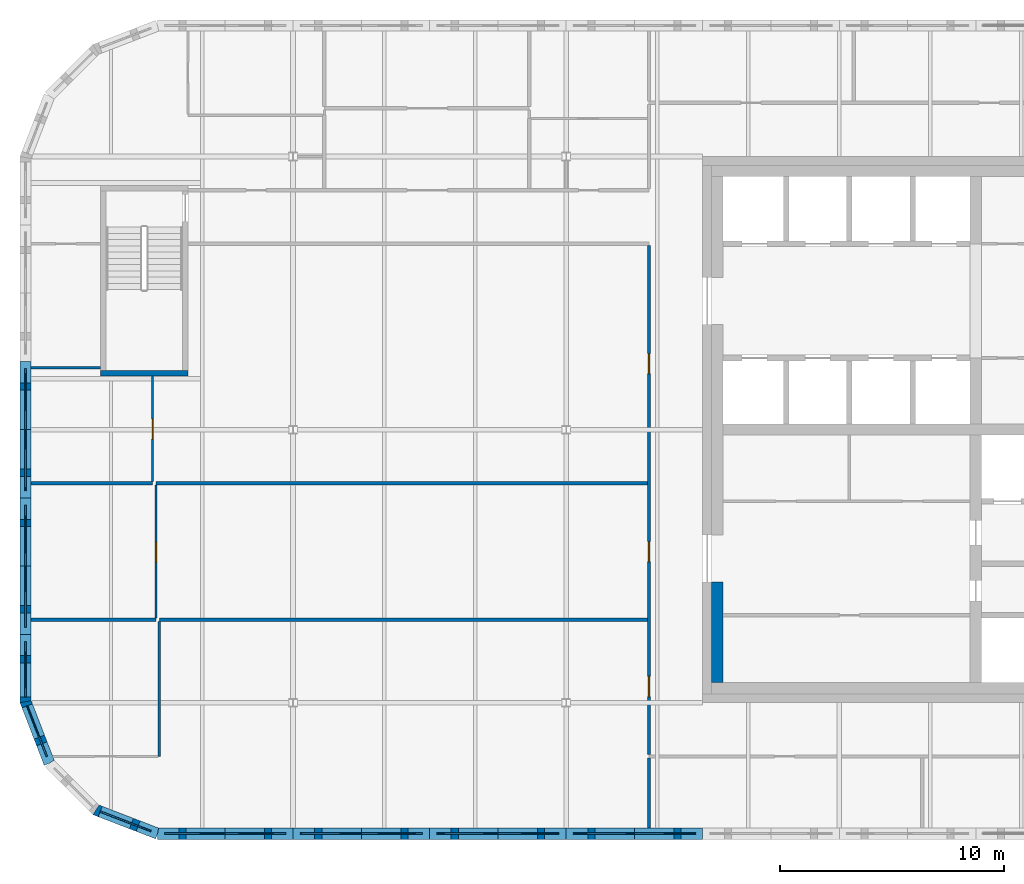
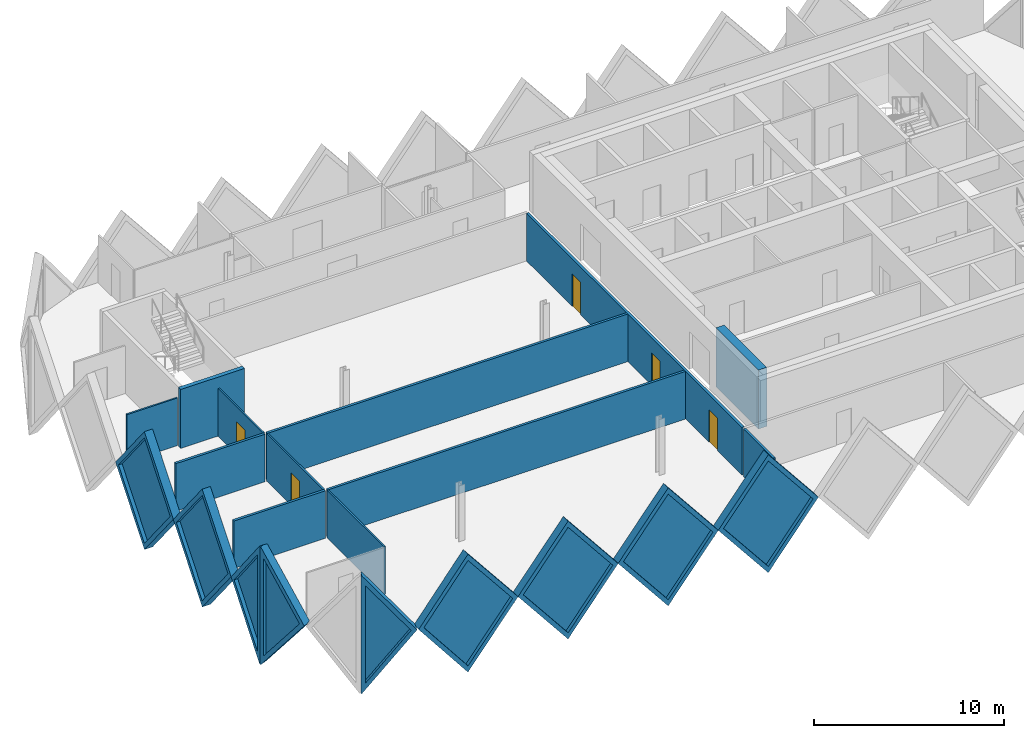
# One storey, part 3 of 10: 21 walls, 9 plates, 5 doors, 14 openings.
"""IFC4 building model written with IfcOpenShell, lengths in metres."""

from ifc_helpers import new_model, si_unit, direction, frame, frame_2d, origin, place, context, subcontext, project, spatial, polyline, rectangle, outline, extrude, faceted_brep, source, transform, mapped, material, layer, layer_set, type_object, element, fill, save


model = new_model("IFC4")

# Units and contexts
model_context = context("Model", 3, precision=1e-05, world=origin(), true_north=direction((0.0, 1.0)))
body_context = subcontext(model_context, "Body", "Model", "MODEL_VIEW")
ifc_project = project(units=[si_unit("LENGTHUNIT", "METRE"), si_unit("AREAUNIT", "SQUARE_METRE"), si_unit("VOLUMEUNIT", "CUBIC_METRE"), si_unit("PLANEANGLEUNIT", "RADIAN"), si_unit("MASSUNIT", "GRAM", prefix="KILO")], contexts=[model_context])

# Site, building, storey
site_placement = place(None, origin())
site = spatial("IfcSite", under=ifc_project, at=site_placement, CompositionType="ELEMENT")
building_placement = place(site_placement, origin())
building = spatial("IfcBuilding", under=site, at=building_placement, Name="Tessera Gate Towers", CompositionType="ELEMENT")
storey_placement = place(building_placement, frame((0.0, 0.0, 248.300048828125)))
storey = spatial("IfcBuildingStorey", under=building, at=storey_placement, Name="L62", CompositionType="ELEMENT", Elevation=248.300048828125)

# Walls
ifc_material_1 = material(Name="Concrete C40/50", Category="concrete")
ifc_layer_1 = layer(ifc_material_1, 0.25)
ifc_layer_set_1 = layer_set([ifc_layer_1], Name="CORE ENCLOSURE WALL 250")
wall_type_1 = type_object("IfcWallType", Name="CORE ENCLOSURE WALL 250", PredefinedType="SOLIDWALL", material=ifc_layer_set_1)
wall_1_placement = place(storey_placement, frame((7.5, 39.125, 0.0), z_axis=(0.0, 0.0, 1.0), x_axis=(-1.0, 0.0, 0.0)))
element("IfcWall", 1, at=wall_1_placement, inside=storey, type_object=wall_type_1, Name="L62 ST3 enclosure wall", PredefinedType="SOLIDWALL", context=body_context, shape_type="SweptSolid", body=[
    extrude(rectangle(XDim=3.89990234375, YDim=0.25, at=frame_2d((1.949951171875, 0.0))), origin(), (0.0, 0.0, 1.0), 3.800048828125),
])
ifc_material_2 = material(Name="Concrete C40/50", Category="concrete")
ifc_layer_2 = layer(ifc_material_2, 0.5)
ifc_layer_set_2 = layer_set([ifc_layer_2], Name="CORE WALL THICKENING 500")
wall_type_2 = type_object("IfcWallType", Name="CORE WALL THICKENING 500", PredefinedType="SOLIDWALL", material=ifc_layer_set_2)
wall_2_placement = place(storey_placement, frame((31.14990234375, 25.300048828125, 0.0), z_axis=(0.0, 0.0, 1.0), x_axis=(0.0, 1.0, 0.0)))
element("IfcWall", 2, at=wall_2_placement, inside=storey, type_object=wall_type_2, Name="Core wall thickening W L62", PredefinedType="SOLIDWALL", context=body_context, shape_type="SweptSolid", body=[
    extrude(rectangle(XDim=4.5, YDim=0.5, at=frame_2d((2.25, 0.0))), origin(), (0.0, 0.0, 1.0), 3.800048828125),
])

# Wall, openings, doors
ifc_material_3 = material(Name="Gypsum board on steel studs, mineral wool", Category="steel")
ifc_layer_3 = layer(ifc_material_3, 0.14990234375)
ifc_layer_set_3 = layer_set([ifc_layer_3], Name="CORRIDOR WALL 150")
wall_type_3 = type_object("IfcWallType", Name="CORRIDOR WALL 150", PredefinedType="PARTITIONING", material=ifc_layer_set_3)
wall_3_placement = place(storey_placement, frame((28.10009765625, 22.075927734375, 0.0), z_axis=(0.0, 0.0, 1.0), x_axis=(0.0, 1.0, 0.0)))
wall_3 = element("IfcWall", 3, at=wall_3_placement, inside=storey, type_object=wall_type_3, Name="T1-L62-PW-009", PredefinedType="PARTITIONING", context=body_context, shape_type="SweptSolid", body=[
    extrude(rectangle(XDim=22.748046875, YDim=0.14990234375, at=frame_2d((11.3740234375, 0.0))), origin(), (0.0, 0.0, 1.0), 3.06689453125),
])
shared_shape_1 = source(origin(), body_context, "Body", "SweptSolid", [
    extrude(rectangle(XDim=0.89990234375, YDim=2.10009765625, at=frame_2d((0.449951171875, 1.050048828125))), frame((0.0, 0.0849609375, 0.0), z_axis=(0.0, -1.0, 0.0), x_axis=(1.0, 0.0, 0.0)), (0.0, 0.0, 1.0), 0.169921875),
])
opening_1_placement = place(wall_3_placement, frame((2.60009765625, 0.0, 0.0)))
opening_1 = element("IfcOpeningElement", 4, at=opening_1_placement, cuts=wall_3, Name="Opening D890FD60-A21-03", PredefinedType="OPENING", context=body_context, shape_type="MappedRepresentation", body=[
    mapped(shared_shape_1, transform((0.0, 0.0, 0.0), scale=1.0)),
])
opening_2_placement = place(wall_3_placement, frame((8.625, 0.0, 0.0)))
opening_2 = element("IfcOpeningElement", 5, at=opening_2_placement, cuts=wall_3, Name="Opening D890FD60-A21-04", PredefinedType="OPENING", context=body_context, shape_type="MappedRepresentation", body=[
    mapped(shared_shape_1, transform((0.0, 0.0, 0.0), scale=1.0)),
])
opening_3_placement = place(wall_3_placement, frame((17.02392578125, 0.0, 0.0)))
opening_3 = element("IfcOpeningElement", 6, at=opening_3_placement, cuts=wall_3, Name="Opening D890FD60-A21-09", PredefinedType="OPENING", context=body_context, shape_type="MappedRepresentation", body=[
    mapped(shared_shape_1, transform((0.0, 0.0, 0.0), scale=1.0)),
])
ifc_material_4 = material(Name="Timber door leaf in steel frame", Category="steel")
door_type_1 = type_object("IfcDoorType", Name="CORRIDOR DOOR 900 FD60", OperationType="NOTDEFINED", PredefinedType="DOOR", material=ifc_material_4)
shared_shape_2 = source(origin(), body_context, "Body", "SweptSolid", [
    extrude(rectangle(XDim=0.89990234375, YDim=2.10009765625, at=frame_2d((0.449951171875, 1.050048828125))), frame((0.0, 0.02490234375, 0.0), z_axis=(0.0, -1.0, 0.0), x_axis=(1.0, 0.0, 0.0)), (0.0, 0.0, 1.0), 0.050048828125),
])
door_1_placement = place(opening_1_placement, origin())
door_1 = element("IfcDoor", 7, at=door_1_placement, inside=storey, type_object=door_type_1, Name="T1-L62-PD-007", OperationType="SINGLE_SWING_LEFT", OverallHeight=2.10009765625, OverallWidth=0.89990234375, PredefinedType="DOOR", context=body_context, shape_type="MappedRepresentation", body=[
    mapped(shared_shape_2, transform((0.0, 0.0, 0.0), scale=1.0)),
])
fill(opening_1, door_1)
door_2_placement = place(opening_2_placement, origin())
door_2 = element("IfcDoor", 8, at=door_2_placement, inside=storey, type_object=door_type_1, Name="T1-L62-PD-008", OperationType="SINGLE_SWING_LEFT", OverallHeight=2.10009765625, OverallWidth=0.89990234375, PredefinedType="DOOR", context=body_context, shape_type="MappedRepresentation", body=[
    mapped(shared_shape_2, transform((0.0, 0.0, 0.0), scale=1.0)),
])
fill(opening_2, door_2)
door_3_placement = place(opening_3_placement, origin())
door_3 = element("IfcDoor", 9, at=door_3_placement, inside=storey, type_object=door_type_1, Name="T1-L62-PD-016", OperationType="SINGLE_SWING_LEFT", OverallHeight=2.10009765625, OverallWidth=0.89990234375, PredefinedType="DOOR", context=body_context, shape_type="MappedRepresentation", body=[
    mapped(shared_shape_2, transform((0.0, 0.0, 0.0), scale=1.0)),
])
fill(opening_3, door_3)

# Wall
ifc_material_5 = material(Name="Glass", Category="glass")
ifc_layer_4 = layer(ifc_material_5, 0.10009765625)
ifc_layer_set_4 = layer_set([ifc_layer_4], Name="GLAZED PARTITION 100")
wall_type_4 = type_object("IfcWallType", Name="GLAZED PARTITION 100", PredefinedType="PARTITIONING", material=ifc_layer_set_4)
wall_4_placement = place(storey_placement, frame((6.22509765625, 22.0, 0.0), z_axis=(0.0, 0.0, 1.0), x_axis=(0.0, 1.0, 0.0)))
element("IfcWall", 10, at=wall_4_placement, inside=storey, type_object=wall_type_4, Name="T1-L62-PW-005", PredefinedType="PARTITIONING", context=body_context, shape_type="SweptSolid", body=[
    extrude(rectangle(XDim=6.02392578125, YDim=0.10009765625, at=frame_2d((3.011962890625, 0.0))), origin(), (0.0, 0.0, 1.0), 3.06689453125),
])

# Wall, opening, door
wall_5_placement = place(storey_placement, frame((6.074951171875, 28.176025390625, 0.0), z_axis=(0.0, 0.0, 1.0), x_axis=(0.0, 1.0, 0.0)))
wall_5 = element("IfcWall", 11, at=wall_5_placement, inside=storey, type_object=wall_type_4, Name="T1-L62-PW-012", PredefinedType="PARTITIONING", context=body_context, shape_type="SweptSolid", body=[
    extrude(rectangle(XDim=5.947998046875, YDim=0.10009765625, at=frame_2d((2.97412109375, 0.0))), origin(), (0.0, 0.0, 1.0), 3.06689453125),
])
shared_shape_3 = source(origin(), body_context, "Body", "SweptSolid", [
    extrude(rectangle(XDim=0.89990234375, YDim=2.10009765625, at=frame_2d((0.449951171875, 1.050048828125))), frame((0.0, 0.06005859375, 0.0), z_axis=(0.0, -1.0, 0.0), x_axis=(1.0, 0.0, 0.0)), (0.0, 0.0, 1.0), 0.1201171875),
])
opening_4_placement = place(wall_5_placement, frame((2.5, 0.0, 0.0)))
opening_4 = element("IfcOpeningElement", 12, at=opening_4_placement, cuts=wall_5, Name="Opening D690-A21-04", PredefinedType="OPENING", context=body_context, shape_type="MappedRepresentation", body=[
    mapped(shared_shape_3, transform((0.0, 0.0, 0.0), scale=1.0)),
])
ifc_material_6 = material(Name="Glass in aluminium frame", Category="aluminium")
door_type_2 = type_object("IfcDoorType", Name="GLAZED DOOR 900 NOT RATED", OperationType="NOTDEFINED", PredefinedType="DOOR", material=ifc_material_6)
door_4_placement = place(opening_4_placement, origin())
door_4 = element("IfcDoor", 13, at=door_4_placement, inside=storey, type_object=door_type_2, Name="T1-L62-PD-006", OperationType="SINGLE_SWING_LEFT", OverallHeight=2.10009765625, OverallWidth=0.89990234375, PredefinedType="DOOR", context=body_context, shape_type="MappedRepresentation", body=[
    mapped(shared_shape_2, transform((0.0, 0.0, 0.0), scale=1.0)),
])
fill(opening_4, door_4)

wall_6_placement = place(storey_placement, frame((5.925048828125, 34.27587890625, 0.0), z_axis=(0.0, 0.0, 1.0), x_axis=(0.0, 1.0, 0.0)))
wall_6 = element("IfcWall", 14, at=wall_6_placement, inside=storey, type_object=wall_type_4, Name="T1-L62-PW-015", PredefinedType="PARTITIONING", context=body_context, shape_type="SweptSolid", body=[
    extrude(rectangle(XDim=4.72412109375, YDim=0.10009765625, at=frame_2d((2.362060546875, 0.0))), origin(), (0.0, 0.0, 1.0), 3.06689453125),
])
opening_5_placement = place(wall_6_placement, frame((1.89990234375, 0.0, 0.0)))
opening_5 = element("IfcOpeningElement", 15, at=opening_5_placement, cuts=wall_6, Name="Opening D690-A21-02", PredefinedType="OPENING", context=body_context, shape_type="MappedRepresentation", body=[
    mapped(shared_shape_3, transform((0.0, 0.0, 0.0), scale=1.0)),
])
door_5_placement = place(opening_5_placement, origin())
door_5 = element("IfcDoor", 16, at=door_5_placement, inside=storey, type_object=door_type_2, Name="T1-L62-PD-003", OperationType="SINGLE_SWING_LEFT", OverallHeight=2.10009765625, OverallWidth=0.89990234375, PredefinedType="DOOR", context=body_context, shape_type="MappedRepresentation", body=[
    mapped(shared_shape_2, transform((0.0, 0.0, 0.0), scale=1.0)),
])
fill(opening_5, door_5)

# Walls
ifc_material_7 = material(Name="Gypsum board on steel studs", Category="steel")
ifc_layer_5 = layer(ifc_material_7, 0.10009765625)
ifc_layer_set_5 = layer_set([ifc_layer_5], Name="PARTITION 100")
wall_type_5 = type_object("IfcWallType", Name="PARTITION 100", PredefinedType="PARTITIONING", material=ifc_layer_set_5)
wall_7_placement = place(storey_placement, frame((0.5, 39.368896484375, 0.0), z_axis=(0.0, 0.0, 1.0), x_axis=(1.0, 0.0, 0.0)))
element("IfcWall", 17, at=wall_7_placement, inside=storey, type_object=wall_type_5, Name="T1-L62-PW-016", PredefinedType="PARTITIONING", context=body_context, shape_type="SweptSolid", body=[
    extrude(rectangle(XDim=3.10009765625, YDim=0.10009765625, at=frame_2d((1.550048828125, 0.0))), origin(), (0.0, 0.0, 1.0), 3.06689453125),
])
ifc_material_8 = material(Name="Gypsum board on steel studs, mineral wool", Category="steel")
ifc_layer_6 = layer(ifc_material_8, 0.14990234375)
ifc_layer_set_6 = layer_set([ifc_layer_6], Name="TENANCY WALL 150")
wall_type_6 = type_object("IfcWallType", Name="TENANCY WALL 150", PredefinedType="PARTITIONING", material=ifc_layer_set_6)
wall_8_placement = place(storey_placement, frame((28.10009765625, 18.800048828125, 0.0), z_axis=(0.0, 0.0, 1.0), x_axis=(0.0, 1.0, 0.0)))
element("IfcWall", 18, at=wall_8_placement, inside=storey, type_object=wall_type_6, Name="T1-L62-PW-001", PredefinedType="PARTITIONING", context=body_context, shape_type="SweptSolid", body=[
    extrude(rectangle(XDim=3.1240234375, YDim=0.14990234375, at=frame_2d((1.56201171875, 0.0))), origin(), (0.0, 0.0, 1.0), 3.06689453125),
])
wall_9_placement = place(storey_placement, frame((0.5, 28.10009765625, 0.0), z_axis=(0.0, 0.0, 1.0), x_axis=(1.0, 0.0, 0.0)))
element("IfcWall", 19, at=wall_9_placement, inside=storey, type_object=wall_type_6, Name="T1-L62-PW-010", PredefinedType="PARTITIONING", context=body_context, shape_type="SweptSolid", body=[
    extrude(rectangle(XDim=5.574951171875, YDim=0.14990234375, at=frame_2d((2.78759765625, 0.0))), origin(), (0.0, 0.0, 1.0), 3.06689453125),
])
wall_10_placement = place(storey_placement, frame((6.22509765625, 28.10009765625, 0.0), z_axis=(0.0, 0.0, 1.0), x_axis=(1.0, 0.0, 0.0)))
element("IfcWall", 20, at=wall_10_placement, inside=storey, type_object=wall_type_6, Name="T1-L62-PW-011", PredefinedType="PARTITIONING", context=body_context, shape_type="SweptSolid", body=[
    extrude(rectangle(XDim=21.798828125, YDim=0.14990234375, at=frame_2d((10.8994140625, 0.0))), origin(), (0.0, 0.0, 1.0), 3.06689453125),
])
wall_11_placement = place(storey_placement, frame((0.5, 34.199951171875, 0.0), z_axis=(0.0, 0.0, 1.0), x_axis=(1.0, 0.0, 0.0)))
element("IfcWall", 21, at=wall_11_placement, inside=storey, type_object=wall_type_6, Name="T1-L62-PW-013", PredefinedType="PARTITIONING", context=body_context, shape_type="SweptSolid", body=[
    extrude(rectangle(XDim=5.425048828125, YDim=0.14990234375, at=frame_2d((2.71240234375, 0.0))), origin(), (0.0, 0.0, 1.0), 3.06689453125),
])
wall_12_placement = place(storey_placement, frame((6.074951171875, 34.199951171875, 0.0), z_axis=(0.0, 0.0, 1.0), x_axis=(1.0, 0.0, 0.0)))
element("IfcWall", 22, at=wall_12_placement, inside=storey, type_object=wall_type_6, Name="T1-L62-PW-014", PredefinedType="PARTITIONING", context=body_context, shape_type="SweptSolid", body=[
    extrude(rectangle(XDim=21.948974609375, YDim=0.14990234375, at=frame_2d((10.974609375, 0.0))), origin(), (0.0, 0.0, 1.0), 3.06689453125),
])

# Wall, opening, plate
ifc_material_9 = material(Name="Precast concrete C60/75 white", Category="concrete")
ifc_layer_7 = layer(ifc_material_9, 0.5)
ifc_layer_set_7 = layer_set([ifc_layer_7], Name="TS1 tessera")
wall_type_7 = type_object("IfcWallType", Name="TS1 tessera", PredefinedType="SOLIDWALL", material=ifc_layer_set_7)
shared_shape_4 = source(origin(), body_context, "Body", "Brep", [
    faceted_brep([(3.00341796875, -0.25, 0.0), (6.053466796875, -0.25, 3.800048828125), (3.00341796875, -0.25, 7.60009765625), (0.0, -0.25, 3.800048828125), (0.046630859375, 0.25, 3.85888671875), (3.00341796875, 0.25, 7.60009765625), (6.053466796875, 0.25, 3.800048828125), (3.00341796875, 0.25, 0.0), (0.046630859375, 0.25, 3.7412109375), (0.0, 0.0, 3.800048828125)], [[[0, 1, 2, 3]], [[4, 5, 6, 7, 8]], [[7, 6, 1, 0]], [[6, 5, 2, 1]], [[5, 4, 9, 3, 2]], [[8, 7, 0, 3, 9]], [[8, 9, 4]]]),
])
wall_13_placement = place(storey_placement, frame((6.146484375, 18.550048828125, -3.800048828125), z_axis=(0.0, 0.0, 1.0), x_axis=(1.0, 0.0, 0.0)))
wall_13 = element("IfcWall", 23, at=wall_13_placement, inside=storey, type_object=wall_type_7, Name="Precast tessera T1 TS1-1079", PredefinedType="SOLIDWALL", context=body_context, shape_type="MappedRepresentation", body=[
    mapped(shared_shape_4, transform((0.0, 0.0, 0.0), scale=1.0)),
])
shared_shape_5 = source(origin(), body_context, "Body", "SweptSolid", [
    extrude(outline(polyline([(3.0048828125, 0.4013671875), (5.73291015625, 3.800048828125), (3.0048828125, 7.19873046875), (0.318603515625, 3.800048828125), (3.0048828125, 0.4013671875)])), frame((0.0, 0.260009765625, 0.0), z_axis=(0.0, -1.0, 0.0), x_axis=(1.0, 0.0, 0.0)), (0.0, 0.0, 1.0), 0.52001953125),
])
opening_6_placement = place(wall_13_placement, origin())
opening_6 = element("IfcOpeningElement", 24, at=opening_6_placement, cuts=wall_13, Name="Opening T1-PL2-2195", PredefinedType="OPENING", context=body_context, shape_type="MappedRepresentation", body=[
    mapped(shared_shape_5, transform((0.0, 0.0, 0.0), scale=1.0)),
])
ifc_material_10 = material(Name="Low-e laminated glass", Category="glass")
ifc_layer_8 = layer(ifc_material_10, 0.06005859375)
ifc_layer_set_8 = layer_set([ifc_layer_8], Name="PL2 rhombic pane")
plate_type = type_object("IfcPlateType", Name="PL2 rhombic pane", PredefinedType="SHEET", material=ifc_layer_set_8)
shared_shape_6 = source(origin(), body_context, "Body", "SweptSolid", [
    extrude(outline(polyline([(3.0048828125, 0.4013671875), (5.73291015625, 3.800048828125), (3.0048828125, 7.19873046875), (0.318603515625, 3.800048828125), (3.0048828125, 0.4013671875)])), frame((0.0, 0.030029296875, 0.0), z_axis=(0.0, -1.0, 0.0), x_axis=(1.0, 0.0, 0.0)), (0.0, 0.0, 1.0), 0.06005859375),
])
plate_1_placement = place(opening_6_placement, origin())
plate_1 = element("IfcPlate", 25, at=plate_1_placement, inside=storey, type_object=plate_type, Name="Glass pane T1 PL2-2195", PredefinedType="SHEET", context=body_context, shape_type="MappedRepresentation", body=[
    mapped(shared_shape_6, transform((0.0, 0.0, 0.0), scale=1.0)),
])
fill(opening_6, plate_1)

shared_shape_7 = source(origin(), body_context, "Body", "Brep", [
    faceted_brep([(3.050048828125, -0.25, 0.0), (6.099853515625, -0.25, 3.7998046875), (6.099853515625, -0.25, 3.80029296875), (3.050048828125, -0.25, 7.60009765625), (0.0, -0.25, 3.800048828125), (0.0, 0.25, 3.800048828125), (3.050048828125, 0.25, 7.60009765625), (6.099853515625, 0.25, 3.80029296875), (6.099853515625, 0.25, 3.7998046875), (3.050048828125, 0.25, 0.0)], [[[0, 1, 2, 3, 4]], [[5, 6, 7, 8, 9]], [[9, 8, 1, 0]], [[7, 6, 3, 2]], [[6, 5, 4, 3]], [[5, 9, 0, 4]], [[1, 8, 7, 2]]]),
])
wall_14_placement = place(storey_placement, frame((18.300048828125, 18.550048828125, -3.800048828125), z_axis=(0.0, 0.0, 1.0), x_axis=(1.0, 0.0, 0.0)))
wall_14 = element("IfcWall", 26, at=wall_14_placement, inside=storey, type_object=wall_type_7, Name="Precast tessera T1 TS1-1081", PredefinedType="SOLIDWALL", context=body_context, shape_type="MappedRepresentation", body=[
    mapped(shared_shape_7, transform((0.0, 0.0, 0.0), scale=1.0)),
])
shared_shape_8 = source(origin(), body_context, "Body", "SweptSolid", [
    extrude(outline(polyline([(3.050048828125, 0.3994140625), (5.779541015625, 3.800048828125), (3.050048828125, 7.20068359375), (0.320556640625, 3.800048828125), (3.050048828125, 0.3994140625)])), frame((0.0, 0.260009765625, 0.0), z_axis=(0.0, -1.0, 0.0), x_axis=(1.0, 0.0, 0.0)), (0.0, 0.0, 1.0), 0.52001953125),
])
opening_7_placement = place(wall_14_placement, origin())
opening_7 = element("IfcOpeningElement", 27, at=opening_7_placement, cuts=wall_14, Name="Opening T1-PL2-2197", PredefinedType="OPENING", context=body_context, shape_type="MappedRepresentation", body=[
    mapped(shared_shape_8, transform((0.0, 0.0, 0.0), scale=1.0)),
])
shared_shape_9 = source(origin(), body_context, "Body", "SweptSolid", [
    extrude(outline(polyline([(3.050048828125, 0.3994140625), (5.779541015625, 3.800048828125), (3.050048828125, 7.20068359375), (0.320556640625, 3.800048828125), (3.050048828125, 0.3994140625)])), frame((0.0, 0.030029296875, 0.0), z_axis=(0.0, -1.0, 0.0), x_axis=(1.0, 0.0, 0.0)), (0.0, 0.0, 1.0), 0.06005859375),
])
plate_2_placement = place(opening_7_placement, origin())
plate_2 = element("IfcPlate", 28, at=plate_2_placement, inside=storey, type_object=plate_type, Name="Glass pane T1 PL2-2197", PredefinedType="SHEET", context=body_context, shape_type="MappedRepresentation", body=[
    mapped(shared_shape_9, transform((0.0, 0.0, 0.0), scale=1.0)),
])
fill(opening_7, plate_2)

wall_15_placement = place(storey_placement, frame((0.25, 39.64990234375, -3.800048828125), z_axis=(0.0, 0.0, 1.0), x_axis=(0.0, -1.0, 0.0)))
wall_15 = element("IfcWall", 29, at=wall_15_placement, inside=storey, type_object=wall_type_7, Name="Precast tessera T1 TS1-1099", PredefinedType="SOLIDWALL", context=body_context, shape_type="MappedRepresentation", body=[
    mapped(shared_shape_7, transform((0.0, 0.0, 0.0), scale=1.0)),
])
opening_8_placement = place(wall_15_placement, origin())
opening_8 = element("IfcOpeningElement", 30, at=opening_8_placement, cuts=wall_15, Name="Opening T1-PL2-2227", PredefinedType="OPENING", context=body_context, shape_type="MappedRepresentation", body=[
    mapped(shared_shape_8, transform((0.0, 0.0, 0.0), scale=1.0)),
])
plate_3_placement = place(opening_8_placement, origin())
plate_3 = element("IfcPlate", 31, at=plate_3_placement, inside=storey, type_object=plate_type, Name="Glass pane T1 PL2-2227", PredefinedType="SHEET", context=body_context, shape_type="MappedRepresentation", body=[
    mapped(shared_shape_9, transform((0.0, 0.0, 0.0), scale=1.0)),
])
fill(opening_8, plate_3)

shared_shape_10 = source(origin(), body_context, "Body", "SweptSolid", [
    extrude(outline(polyline([(3.050048828125, 0.0), (6.10009765625, 3.800048828125), (3.050048828125, 7.60009765625), (0.0, 3.800048828125), (3.050048828125, 0.0)])), frame((0.0, 0.25, 0.0), z_axis=(0.0, -1.0, 0.0), x_axis=(1.0, 0.0, 0.0)), (0.0, 0.0, 1.0), 0.5),
])
wall_16_placement = place(storey_placement, frame((12.199951171875, 18.550048828125, -3.800048828125), z_axis=(0.0, 0.0, 1.0), x_axis=(1.0, 0.0, 0.0)))
wall_16 = element("IfcWall", 32, at=wall_16_placement, inside=storey, type_object=wall_type_7, Name="Precast tessera T1 TS1-1080", PredefinedType="SOLIDWALL", context=body_context, shape_type="MappedRepresentation", body=[
    mapped(shared_shape_10, transform((0.0, 0.0, 0.0), scale=1.0)),
])
opening_9_placement = place(wall_16_placement, origin())
opening_9 = element("IfcOpeningElement", 33, at=opening_9_placement, cuts=wall_16, Name="Opening T1-PL2-2196", PredefinedType="OPENING", context=body_context, shape_type="MappedRepresentation", body=[
    mapped(shared_shape_8, transform((0.0, 0.0, 0.0), scale=1.0)),
])
plate_4_placement = place(opening_9_placement, origin())
plate_4 = element("IfcPlate", 34, at=plate_4_placement, inside=storey, type_object=plate_type, Name="Glass pane T1 PL2-2196", PredefinedType="SHEET", context=body_context, shape_type="MappedRepresentation", body=[
    mapped(shared_shape_9, transform((0.0, 0.0, 0.0), scale=1.0)),
])
fill(opening_9, plate_4)

wall_17_placement = place(storey_placement, frame((24.39990234375, 18.550048828125, -3.800048828125), z_axis=(0.0, 0.0, 1.0), x_axis=(1.0, 0.0, 0.0)))
wall_17 = element("IfcWall", 35, at=wall_17_placement, inside=storey, type_object=wall_type_7, Name="Precast tessera T1 TS1-1082", PredefinedType="SOLIDWALL", context=body_context, shape_type="MappedRepresentation", body=[
    mapped(shared_shape_10, transform((0.0, 0.0, 0.0), scale=1.0)),
])
opening_10_placement = place(wall_17_placement, origin())
opening_10 = element("IfcOpeningElement", 36, at=opening_10_placement, cuts=wall_17, Name="Opening T1-PL2-2198", PredefinedType="OPENING", context=body_context, shape_type="MappedRepresentation", body=[
    mapped(shared_shape_8, transform((0.0, 0.0, 0.0), scale=1.0)),
])
plate_5_placement = place(opening_10_placement, origin())
plate_5 = element("IfcPlate", 37, at=plate_5_placement, inside=storey, type_object=plate_type, Name="Glass pane T1 PL2-2198", PredefinedType="SHEET", context=body_context, shape_type="MappedRepresentation", body=[
    mapped(shared_shape_9, transform((0.0, 0.0, 0.0), scale=1.0)),
])
fill(opening_10, plate_5)

wall_18_placement = place(storey_placement, frame((0.25, 33.550048828125, -3.800048828125), z_axis=(0.0, 0.0, 1.0), x_axis=(0.0, -1.0, 0.0)))
wall_18 = element("IfcWall", 38, at=wall_18_placement, inside=storey, type_object=wall_type_7, Name="Precast tessera T1 TS1-1100", PredefinedType="SOLIDWALL", context=body_context, shape_type="MappedRepresentation", body=[
    mapped(shared_shape_10, transform((0.0, 0.0, 0.0), scale=1.0)),
])
opening_11_placement = place(wall_18_placement, origin())
opening_11 = element("IfcOpeningElement", 39, at=opening_11_placement, cuts=wall_18, Name="Opening T1-PL2-2228", PredefinedType="OPENING", context=body_context, shape_type="MappedRepresentation", body=[
    mapped(shared_shape_8, transform((0.0, 0.0, 0.0), scale=1.0)),
])
plate_6_placement = place(opening_11_placement, origin())
plate_6 = element("IfcPlate", 40, at=plate_6_placement, inside=storey, type_object=plate_type, Name="Glass pane T1 PL2-2228", PredefinedType="SHEET", context=body_context, shape_type="MappedRepresentation", body=[
    mapped(shared_shape_9, transform((0.0, 0.0, 0.0), scale=1.0)),
])
fill(opening_11, plate_6)

ifc_material_11 = material(Name="Precast concrete C60/75 white", Category="concrete")
ifc_layer_9 = layer(ifc_material_11, 0.5)
ifc_layer_set_9 = layer_set([ifc_layer_9], Name="TS3 corner tessera")
wall_type_8 = type_object("IfcWallType", Name="TS3 corner tessera", PredefinedType="SOLIDWALL", material=ifc_layer_set_9)
shared_shape_11 = source(origin(), body_context, "Body", "Brep", [
    faceted_brep([(3.00341796875, -0.25, 0.0), (3.050048828125, -0.25, 0.06005859375), (3.050048828125, -0.25, 7.5400390625), (3.00341796875, -0.25, 7.60009765625), (0.0, -0.25, 3.800048828125), (0.0, 0.25, 3.800048828125), (2.956787109375, 0.25, 7.541259765625), (2.956787109375, 0.25, 0.058837890625), (3.00341796875, 0.000244140625, 0.0), (3.00341796875, 0.000244140625, 7.60009765625)], [[[0, 1, 2, 3, 4]], [[5, 6, 7]], [[1, 0, 8]], [[9, 3, 2]], [[6, 5, 4, 3, 9]], [[5, 7, 8, 0, 4]], [[1, 8, 7, 6, 9, 2]]]),
])
wall_19_placement = place(storey_placement, frame((0.25, 27.449951171875, -3.800048828125), z_axis=(0.0, 0.0, 1.0), x_axis=(0.0, -1.0, 0.0)))
wall_19 = element("IfcWall", 41, at=wall_19_placement, inside=storey, type_object=wall_type_8, Name="Precast corner tessera T1 TS3-1429", PredefinedType="SOLIDWALL", context=body_context, shape_type="MappedRepresentation", body=[
    mapped(shared_shape_11, transform((0.0, 0.0, 0.0), scale=1.0)),
])
shared_shape_12 = source(origin(), body_context, "Body", "SweptSolid", [
    extrude(outline(polyline([(2.803466796875, 6.94384765625), (0.318603515625, 3.800048828125), (2.803466796875, 0.65625), (2.803466796875, 6.94384765625)])), frame((0.0, 0.260009765625, 0.0), z_axis=(0.0, -1.0, 0.0), x_axis=(1.0, 0.0, 0.0)), (0.0, 0.0, 1.0), 0.52001953125),
])
opening_12_placement = place(wall_19_placement, origin())
opening_12 = element("IfcOpeningElement", 42, at=opening_12_placement, cuts=wall_19, Name="Opening T1-PL2-2229", PredefinedType="OPENING", context=body_context, shape_type="MappedRepresentation", body=[
    mapped(shared_shape_12, transform((0.0, 0.0, 0.0), scale=1.0)),
])
shared_shape_13 = source(origin(), body_context, "Body", "SweptSolid", [
    extrude(outline(polyline([(2.803466796875, 6.94384765625), (0.318603515625, 3.800048828125), (2.803466796875, 0.65625), (2.803466796875, 6.94384765625)])), frame((0.0, 0.030029296875, 0.0), z_axis=(0.0, -1.0, 0.0), x_axis=(1.0, 0.0, 0.0)), (0.0, 0.0, 1.0), 0.06005859375),
])
plate_7_placement = place(opening_12_placement, origin())
plate_7 = element("IfcPlate", 43, at=plate_7_placement, inside=storey, type_object=plate_type, Name="Glass pane T1 PL2-2229", PredefinedType="SHEET", context=body_context, shape_type="MappedRepresentation", body=[
    mapped(shared_shape_13, transform((0.0, 0.0, 0.0), scale=1.0)),
])
fill(opening_12, plate_7)

shared_shape_14 = source(origin(), body_context, "Body", "Brep", [
    faceted_brep([(0.046630859375, -0.25, 0.0), (2.9970703125, -0.25, 3.800048828125), (0.046630859375, -0.25, 7.60009765625), (0.0, -0.25, 7.541259765625), (0.0, -0.25, 0.058837890625), (0.09326171875, 0.25, 7.5400390625), (2.9443359375, 0.25, 3.8681640625), (2.9443359375, 0.25, 3.73193359375), (0.09326171875, 0.25, 0.06005859375), (2.9970703125, 0.00048828125, 3.800048828125), (0.046630859375, 0.0, 0.0), (0.046630859375, 0.0, 7.60009765625)], [[[0, 1, 2, 3, 4]], [[5, 6, 7, 8]], [[8, 7, 9, 1, 0, 10]], [[6, 5, 11, 2, 1, 9]], [[3, 2, 11]], [[10, 0, 4]], [[8, 10, 4, 3, 11, 5]], [[9, 7, 6]]]),
])
wall_20_placement = place(storey_placement, frame((0.233154296875, 24.489990234375, -3.800048828125), z_axis=(0.0, 0.0, 1.0), x_axis=(0.359901446078, -0.932990326376, 0.0)))
wall_20 = element("IfcWall", 44, at=wall_20_placement, inside=storey, type_object=wall_type_8, Name="Precast corner tessera T1 TS3-1430", PredefinedType="SOLIDWALL", context=body_context, shape_type="MappedRepresentation", body=[
    mapped(shared_shape_14, transform((0.0, 0.0, 0.0), scale=1.0)),
])
shared_shape_15 = source(origin(), body_context, "Body", "SweptSolid", [
    extrude(outline(polyline([(0.24658203125, 0.665283203125), (2.6806640625, 3.800048828125), (0.24658203125, 6.934814453125), (0.24658203125, 0.665283203125)])), frame((0.0, 0.260009765625, 0.0), z_axis=(0.0, -1.0, 0.0), x_axis=(1.0, 0.0, 0.0)), (0.0, 0.0, 1.0), 0.52001953125),
])
opening_13_placement = place(wall_20_placement, origin())
opening_13 = element("IfcOpeningElement", 45, at=opening_13_placement, cuts=wall_20, Name="Opening T1-PL2-2230", PredefinedType="OPENING", context=body_context, shape_type="MappedRepresentation", body=[
    mapped(shared_shape_15, transform((0.0, 0.0, 0.0), scale=1.0)),
])
shared_shape_16 = source(origin(), body_context, "Body", "SweptSolid", [
    extrude(outline(polyline([(0.24658203125, 0.665283203125), (2.6806640625, 3.800048828125), (0.24658203125, 6.934814453125), (0.24658203125, 0.665283203125)])), frame((0.0, 0.030029296875, 0.0), z_axis=(0.0, -1.0, 0.0), x_axis=(1.0, 0.0, 0.0)), (0.0, 0.0, 1.0), 0.06005859375),
])
plate_8_placement = place(opening_13_placement, origin())
plate_8 = element("IfcPlate", 46, at=plate_8_placement, inside=storey, type_object=plate_type, Name="Glass pane T1 PL2-2230", PredefinedType="SHEET", context=body_context, shape_type="MappedRepresentation", body=[
    mapped(shared_shape_16, transform((0.0, 0.0, 0.0), scale=1.0)),
])
fill(opening_13, plate_8)

shared_shape_17 = source(origin(), body_context, "Body", "Brep", [
    faceted_brep([(0.052978515625, -0.25, 0.0), (3.00341796875, -0.25, 3.800048828125), (0.052978515625, -0.25, 7.60009765625), (0.0, -0.25, 7.53173828125), (0.0, -0.25, 0.068359375), (0.10595703125, 0.25, 7.531982421875), (2.95703125, 0.25, 3.85986328125), (2.95703125, 0.25, 3.740234375), (0.10595703125, 0.25, 0.068115234375), (3.00341796875, 0.00048828125, 3.800048828125), (0.052978515625, 0.0, 0.0), (0.052978515625, 0.0, 7.60009765625)], [[[0, 1, 2, 3, 4]], [[5, 6, 7, 8]], [[8, 7, 9, 1, 0, 10]], [[6, 5, 11, 2, 1, 9]], [[3, 2, 11]], [[10, 0, 4]], [[8, 10, 4, 3, 11, 5]], [[9, 7, 6]]]),
])
wall_21_placement = place(storey_placement, frame((3.34423828125, 19.630859375, -3.800048828125), z_axis=(0.0, 0.0, 1.0), x_axis=(0.933007896601, -0.359855894603, 0.0)))
wall_21 = element("IfcWall", 47, at=wall_21_placement, inside=storey, type_object=wall_type_8, Name="Precast corner tessera T1 TS3-1432", PredefinedType="SOLIDWALL", context=body_context, shape_type="MappedRepresentation", body=[
    mapped(shared_shape_17, transform((0.0, 0.0, 0.0), scale=1.0)),
])
shared_shape_18 = source(origin(), body_context, "Body", "SweptSolid", [
    extrude(outline(polyline([(0.2529296875, 0.665283203125), (2.68701171875, 3.800048828125), (0.2529296875, 6.934814453125), (0.2529296875, 0.665283203125)])), frame((0.0, 0.260009765625, 0.0), z_axis=(0.0, -1.0, 0.0), x_axis=(1.0, 0.0, 0.0)), (0.0, 0.0, 1.0), 0.52001953125),
])
opening_14_placement = place(wall_21_placement, origin())
opening_14 = element("IfcOpeningElement", 48, at=opening_14_placement, cuts=wall_21, Name="Opening T1-PL2-2232", PredefinedType="OPENING", context=body_context, shape_type="MappedRepresentation", body=[
    mapped(shared_shape_18, transform((0.0, 0.0, 0.0), scale=1.0)),
])
shared_shape_19 = source(origin(), body_context, "Body", "SweptSolid", [
    extrude(outline(polyline([(0.2529296875, 0.665283203125), (2.68701171875, 3.800048828125), (0.2529296875, 6.934814453125), (0.2529296875, 0.665283203125)])), frame((0.0, 0.030029296875, 0.0), z_axis=(0.0, -1.0, 0.0), x_axis=(1.0, 0.0, 0.0)), (0.0, 0.0, 1.0), 0.06005859375),
])
plate_9_placement = place(opening_14_placement, origin())
plate_9 = element("IfcPlate", 49, at=plate_9_placement, inside=storey, type_object=plate_type, Name="Glass pane T1 PL2-2232", PredefinedType="SHEET", context=body_context, shape_type="MappedRepresentation", body=[
    mapped(shared_shape_19, transform((0.0, 0.0, 0.0), scale=1.0)),
])
fill(opening_14, plate_9)

save(model, "model.ifc")
